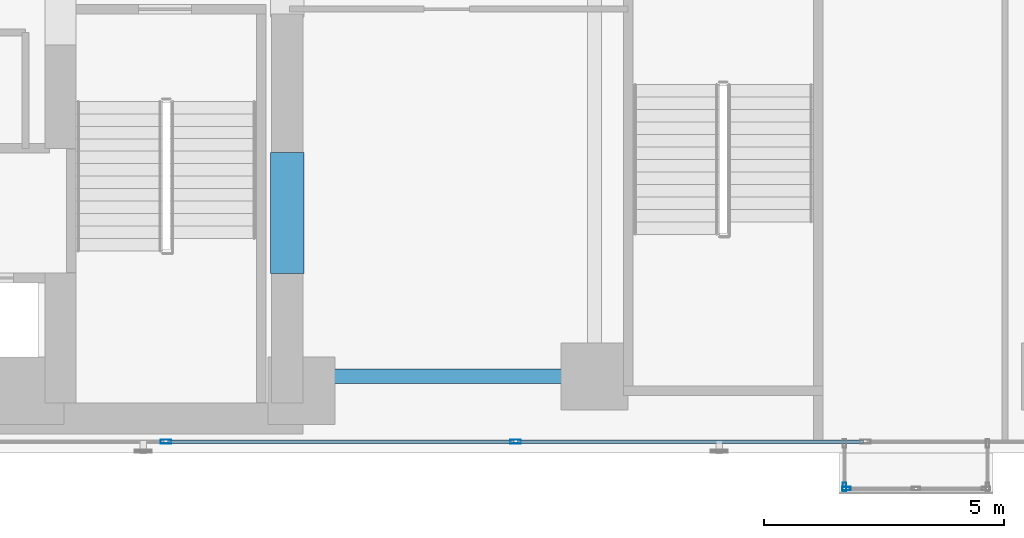
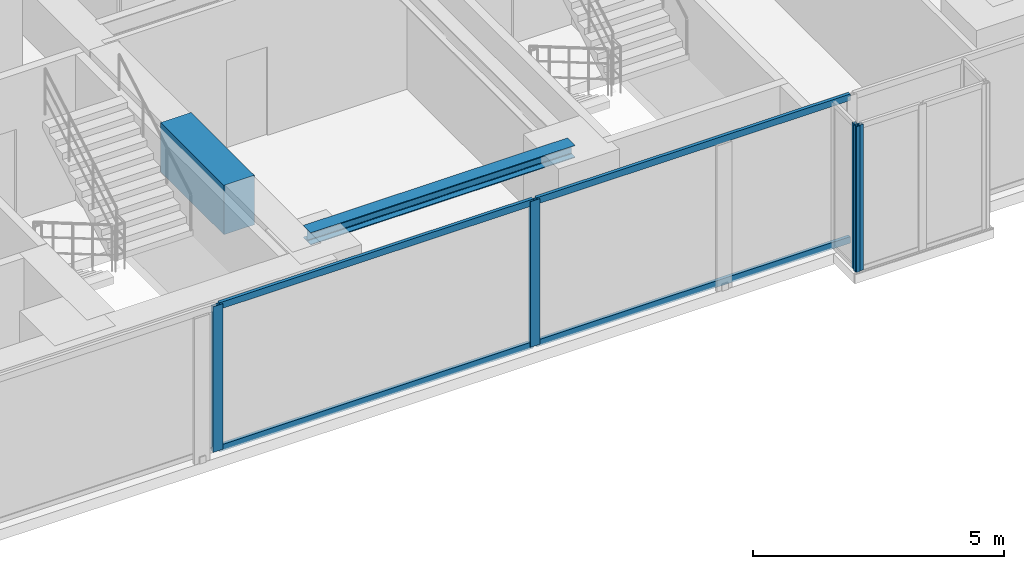
# One storey, part 4 of 29: 8 members, 2 beams, 3 elements without a shape of their own.
"""IFC4 building model written with IfcOpenShell, lengths in metres."""

from ifc_helpers import new_model, si_unit, direction, frame, origin, origin_with_axes, origin_2d, place, context, subcontext, project, spatial, rectangle, hollow_rectangle, i_section, extrude, source, transform, mapped, material, layer, layer_set, material_profile, profile_set, type_object, element, aggregate, save


model = new_model("IFC4")

# Units and contexts
model_context = context("Model", 3, precision=1e-05, world=origin(), true_north=direction((0.0, 1.0)))
body_context = subcontext(model_context, "Body", "Model", "MODEL_VIEW")
ifc_project = project(units=[si_unit("LENGTHUNIT", "METRE"), si_unit("AREAUNIT", "SQUARE_METRE"), si_unit("VOLUMEUNIT", "CUBIC_METRE"), si_unit("PLANEANGLEUNIT", "RADIAN"), si_unit("MASSUNIT", "GRAM", prefix="KILO")], contexts=[model_context])

# Site, building, storey
site_placement = place(None, origin())
site = spatial("IfcSite", under=ifc_project, at=site_placement, CompositionType="ELEMENT")
building_placement = place(site_placement, origin())
building = spatial("IfcBuilding", under=site, at=building_placement, Name="Kolvaren Waterfront Exchange", CompositionType="ELEMENT")
storey_placement = place(building_placement, frame((0.0, 0.0, 129.699951171875)))
storey = spatial("IfcBuildingStorey", under=building, at=storey_placement, Name="L33", CompositionType="ELEMENT", Elevation=129.699951171875)

# Beams
ifc_material_1 = material(Name="Steel S355", Category="steel")
ifc_material_profile_1 = material_profile(ifc_material_1, i_section(OverallWidth=0.300048828125, OverallDepth=0.300048828125, WebThickness=0.010986328125, FlangeThickness=0.01904296875, FilletRadius=0.027099609375, at=origin_2d()), Name="HEB300")
ifc_profile_set_1 = profile_set([ifc_material_profile_1], Name="Steel S355")
beam_type_1 = type_object("IfcBeamType", Name="STR-BM-HEB300", PredefinedType="SPANDREL", material=ifc_profile_set_1)
beam_1_placement = place(storey_placement, frame((21.125, 5.199951171875, 3.39013671875), z_axis=(1.0, 0.0, 0.0), x_axis=(0.0, 1.0, 0.0)))
element("IfcBeam", 1, at=beam_1_placement, inside=storey, type_object=beam_type_1, Name="L33 east-arm spandrel S1", PredefinedType="SPANDREL", context=body_context, shape_type="SweptSolid", body=[
    extrude(i_section(OverallWidth=0.300048828125, OverallDepth=0.300048828125, WebThickness=0.010986328125, FlangeThickness=0.01904296875, FilletRadius=0.027099609375, at=origin_2d()), origin(), (0.0, 0.0, 1.0), 6.074951171875),
])
ifc_material_2 = material(Name="Concrete C70/85", Category="concrete")
ifc_material_profile_2 = material_profile(ifc_material_2, rectangle(XDim=0.699951171875, YDim=1.199951171875, at=origin_2d()), Name="RC-CB-1200x700")
ifc_profile_set_2 = profile_set([ifc_material_profile_2], Name="Concrete C70/85")
beam_type_2 = type_object("IfcBeamType", Name="STR-CB-1200", PredefinedType="SPANDREL", material=ifc_profile_set_2)
beam_2_placement = place(storey_placement, frame((20.800048828125, 7.340087890625, 2.93994140625), z_axis=(0.0, 1.0, 0.0), x_axis=(-1.0, 0.0, 0.0)))
element("IfcBeam", 2, at=beam_2_placement, inside=storey, type_object=beam_type_2, Name="L33 core coupling beam 1", PredefinedType="SPANDREL", context=body_context, shape_type="SweptSolid", body=[
    extrude(rectangle(XDim=0.699951171875, YDim=1.199951171875, at=origin_2d()), origin(), (0.0, 0.0, 1.0), 2.52001953125),
])

# Curtain wall, member
ifc_material_3 = material(Name="Anodised bronze aluminium 6063-T6", Category="aluminium")
ifc_layer_1 = layer(ifc_material_3, 0.219970703125, Name="Anodised bronze aluminium 6063-T6")
ifc_layer_set_1 = layer_set([ifc_layer_1], Name="Anodised bronze aluminium 6063-T6")
curtain_wall_type_1 = type_object("IfcCurtainWallType", Name="ARC-CW-SYS3", PredefinedType="USERDEFINED", material=ifc_layer_set_1)
curtain_wall_1_placement = place(storey_placement, origin())
curtain_wall_1 = element("IfcCurtainWall", 3, at=curtain_wall_1_placement, inside=storey, type_object=curtain_wall_type_1, Name="L33 stick curtain wall CW3 (CW-L33-BOX-W)", ObjectType="STICK CURTAIN WALL", PredefinedType="USERDEFINED")
ifc_material_profile_3 = material_profile(ifc_material_3, hollow_rectangle(XDim=0.074951171875, YDim=0.179931640625, WallThickness=0.00439453125, at=origin_2d()), Name="ALU-MUL-180x75x4.5")
ifc_profile_set_3 = profile_set([ifc_material_profile_3], Name="Anodised bronze aluminium 6063-T6")
member_type_1 = type_object("IfcMemberType", Name="ARC-CWM-180", PredefinedType="MULLION", material=ifc_profile_set_3)
shared_shape_1 = source(origin_with_axes(), body_context, "Body", "SweptSolid", [
    extrude(hollow_rectangle(XDim=0.074951171875, YDim=0.179931640625, WallThickness=0.00439453125, at=origin_2d()), origin(), (0.0, 0.0, 1.0), 3.5400390625),
])
member_1_placement = place(storey_placement, frame((32.409912109375, 2.8974609375, 0.0), z_axis=(0.0, 0.0, 1.0), x_axis=(1.0, 0.0, 0.0)))
member_1 = element("IfcMember", 4, at=member_1_placement, type_object=member_type_1, Name="CW3 mullion 2", PredefinedType="MULLION", context=body_context, shape_type="MappedRepresentation", body=[
    mapped(shared_shape_1, transform((0.0, 0.0, 0.0), x_axis=(1.0, 0.0, 0.0), y_axis=(0.0, 1.0, 0.0), z_axis=(0.0, 0.0, 1.0), scale=1.0)),
])
aggregate(curtain_wall_1, [member_1])

curtain_wall_2_placement = place(storey_placement, origin())
curtain_wall_2 = element("IfcCurtainWall", 5, at=curtain_wall_2_placement, inside=storey, type_object=curtain_wall_type_1, Name="L33 stick curtain wall CW3 (CW-L33-BOX)", ObjectType="STICK CURTAIN WALL", PredefinedType="USERDEFINED")
member_2_placement = place(storey_placement, frame((32.447509765625, 2.860107421875, 0.0), z_axis=(0.0, 0.0, 1.0), x_axis=(0.0, 1.0, 0.0)))
member_2 = element("IfcMember", 6, at=member_2_placement, type_object=member_type_1, Name="CW3 mullion 1", PredefinedType="MULLION", context=body_context, shape_type="MappedRepresentation", body=[
    mapped(shared_shape_1, transform((0.0, 0.0, 0.0), x_axis=(1.0, 0.0, 0.0), y_axis=(0.0, 1.0, 0.0), z_axis=(0.0, 0.0, 1.0), scale=1.0)),
])
aggregate(curtain_wall_2, [member_2])

# Curtain wall, members
ifc_layer_2 = layer(ifc_material_3, 0.219970703125, Name="Anodised bronze aluminium 6063-T6")
ifc_layer_set_2 = layer_set([ifc_layer_2], Name="Anodised bronze aluminium 6063-T6")
curtain_wall_type_2 = type_object("IfcCurtainWallType", Name="ARC-CW-SYS1", PredefinedType="USERDEFINED", material=ifc_layer_set_2)
curtain_wall_3_placement = place(storey_placement, origin())
curtain_wall_3 = element("IfcCurtainWall", 7, at=curtain_wall_3_placement, inside=storey, type_object=curtain_wall_type_2, Name="L33 stick curtain wall CW1 (CW-L33-S)", ObjectType="STICK CURTAIN WALL", PredefinedType="USERDEFINED")
ifc_material_4 = material(Name="Anodised aluminium 6063-T6", Category="aluminium")
ifc_material_profile_4 = material_profile(ifc_material_4, hollow_rectangle(XDim=0.080078125, YDim=0.219970703125, WallThickness=0.0048828125, at=origin_2d()), Name="ALU-MUL-220x80x5")
ifc_profile_set_4 = profile_set([ifc_material_profile_4], Name="Anodised aluminium 6063-T6")
member_type_2 = type_object("IfcMemberType", Name="ARC-CWM-220", PredefinedType="MULLION", material=ifc_profile_set_4)
shared_shape_2 = source(origin_with_axes(), body_context, "Body", "SweptSolid", [
    extrude(hollow_rectangle(XDim=0.080078125, YDim=0.219970703125, WallThickness=0.0048828125, at=origin_2d()), origin(), (0.0, 0.0, 1.0), 3.5400390625),
])
member_3_placement = place(storey_placement, frame((18.271484375, 3.840087890625, 0.0), z_axis=(0.0, 0.0, 1.0), x_axis=(0.0, 1.0, 0.0)))
member_3 = element("IfcMember", 8, at=member_3_placement, type_object=member_type_2, Name="CW1 mullion 3", PredefinedType="MULLION", context=body_context, shape_type="MappedRepresentation", body=[
    mapped(shared_shape_2, transform((0.0, 0.0, 0.0), x_axis=(1.0, 0.0, 0.0), y_axis=(0.0, 1.0, 0.0), z_axis=(0.0, 0.0, 1.0), scale=1.0)),
])
member_4_placement = place(storey_placement, frame((25.55712890625, 3.840087890625, 0.0), z_axis=(0.0, 0.0, 1.0), x_axis=(0.0, 1.0, 0.0)))
member_4 = element("IfcMember", 9, at=member_4_placement, type_object=member_type_2, Name="CW1 mullion 4", PredefinedType="MULLION", context=body_context, shape_type="MappedRepresentation", body=[
    mapped(shared_shape_2, transform((0.0, 0.0, 0.0), x_axis=(1.0, 0.0, 0.0), y_axis=(0.0, 1.0, 0.0), z_axis=(0.0, 0.0, 1.0), scale=1.0)),
])
ifc_material_profile_5 = material_profile(ifc_material_4, hollow_rectangle(XDim=0.074951171875, YDim=0.159912109375, WallThickness=0.00439453125, at=origin_2d()), Name="ALU-TRN-160x75x4.5")
ifc_profile_set_5 = profile_set([ifc_material_profile_5], Name="Anodised aluminium 6063-T6")
member_type_3 = type_object("IfcMemberType", Name="ARC-CWT-160", PredefinedType="USERDEFINED", material=ifc_profile_set_5)
shared_shape_3 = source(origin_with_axes(), body_context, "Body", "SweptSolid", [
    extrude(hollow_rectangle(XDim=0.074951171875, YDim=0.159912109375, WallThickness=0.00439453125, at=origin_2d()), origin(), (0.0, 0.0, 1.0), 7.205810546875),
])
member_5_placement = place(storey_placement, frame((25.59716796875, 3.840087890625, 0.03759765625), z_axis=(1.0, 0.0, 0.0), x_axis=(0.0, 1.0, 0.0)))
member_5 = element("IfcMember", 10, at=member_5_placement, type_object=member_type_3, Name="CW1 transom 4.1", ObjectType="TRANSOM", PredefinedType="USERDEFINED", context=body_context, shape_type="MappedRepresentation", body=[
    mapped(shared_shape_3, transform((0.0, 0.0, 0.0), x_axis=(1.0, 0.0, 0.0), y_axis=(0.0, 1.0, 0.0), z_axis=(0.0, 0.0, 1.0), scale=1.0)),
])
member_6_placement = place(storey_placement, frame((25.59716796875, 3.840087890625, 3.50244140625), z_axis=(1.0, 0.0, 0.0), x_axis=(0.0, 1.0, 0.0)))
member_6 = element("IfcMember", 11, at=member_6_placement, type_object=member_type_3, Name="CW1 transom 4.2", ObjectType="TRANSOM", PredefinedType="USERDEFINED", context=body_context, shape_type="MappedRepresentation", body=[
    mapped(shared_shape_3, transform((0.0, 0.0, 0.0), x_axis=(1.0, 0.0, 0.0), y_axis=(0.0, 1.0, 0.0), z_axis=(0.0, 0.0, 1.0), scale=1.0)),
])
shared_shape_4 = source(origin_with_axes(), body_context, "Body", "SweptSolid", [
    extrude(hollow_rectangle(XDim=0.074951171875, YDim=0.159912109375, WallThickness=0.00439453125, at=origin_2d()), origin(), (0.0, 0.0, 1.0), 7.20556640625),
])
member_7_placement = place(storey_placement, frame((18.3115234375, 3.840087890625, 0.03759765625), z_axis=(1.0, 0.0, 0.0), x_axis=(0.0, 1.0, 0.0)))
member_7 = element("IfcMember", 12, at=member_7_placement, type_object=member_type_3, Name="CW1 transom 3.1", ObjectType="TRANSOM", PredefinedType="USERDEFINED", context=body_context, shape_type="MappedRepresentation", body=[
    mapped(shared_shape_4, transform((0.0, 0.0, 0.0), x_axis=(1.0, 0.0, 0.0), y_axis=(0.0, 1.0, 0.0), z_axis=(0.0, 0.0, 1.0), scale=1.0)),
])
member_8_placement = place(storey_placement, frame((18.3115234375, 3.840087890625, 3.50244140625), z_axis=(1.0, 0.0, 0.0), x_axis=(0.0, 1.0, 0.0)))
member_8 = element("IfcMember", 13, at=member_8_placement, type_object=member_type_3, Name="CW1 transom 3.2", ObjectType="TRANSOM", PredefinedType="USERDEFINED", context=body_context, shape_type="MappedRepresentation", body=[
    mapped(shared_shape_4, transform((0.0, 0.0, 0.0), x_axis=(1.0, 0.0, 0.0), y_axis=(0.0, 1.0, 0.0), z_axis=(0.0, 0.0, 1.0), scale=1.0)),
])
aggregate(curtain_wall_3, [member_3, member_4, member_7, member_8, member_5, member_6])

save(model, "model.ifc")
